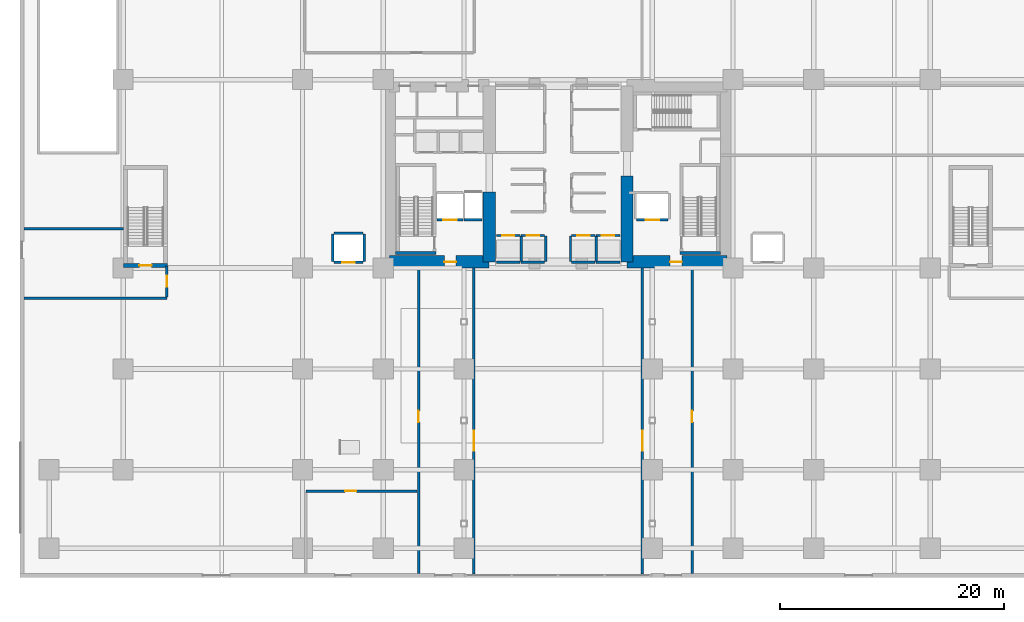
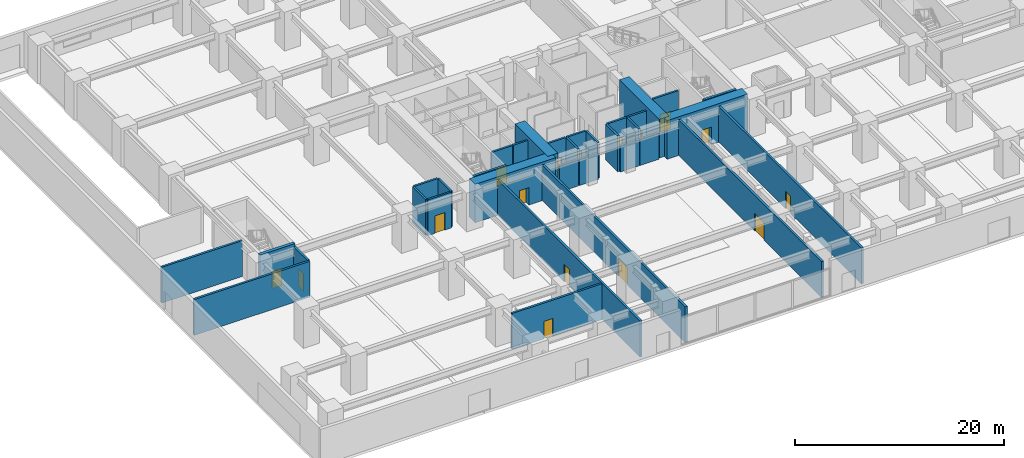
# One storey, part 13 of 26: 34 walls, 16 doors, 16 openings.
"""IFC4 building model written with IfcOpenShell, lengths in metres."""

from ifc_helpers import new_model, si_unit, direction, frame, frame_2d, origin, place, context, subcontext, project, spatial, rectangle, extrude, material, layer, layer_set, type_object, element, fill, save


model = new_model("IFC4")

# Units and contexts
model_context = context("Model", 3, precision=1e-05, world=origin(), true_north=direction((0.0, 1.0)))
body_context = subcontext(model_context, "Body", "Model", "MODEL_VIEW")
ifc_project = project(units=[si_unit("LENGTHUNIT", "METRE"), si_unit("AREAUNIT", "SQUARE_METRE"), si_unit("VOLUMEUNIT", "CUBIC_METRE"), si_unit("PLANEANGLEUNIT", "RADIAN"), si_unit("MASSUNIT", "GRAM", prefix="KILO")], contexts=[model_context])

# Site, building, storey
site_placement = place(None, origin())
site = spatial("IfcSite", under=ifc_project, at=site_placement, CompositionType="ELEMENT")
building_placement = place(site_placement, origin())
building = spatial("IfcBuilding", under=site, at=building_placement, Name="Kiyonajd Concourse Tower", CompositionType="ELEMENT")
storey_placement = place(building_placement, origin())
storey = spatial("IfcBuildingStorey", under=building, at=storey_placement, Name="L01", CompositionType="ELEMENT", Elevation=0.0)

# Wall
ifc_material_1 = material(Name="Concrete C80/95", Category="concrete")
ifc_layer_1 = layer(ifc_material_1, 1.10009765625)
ifc_layer_set_1 = layer_set([ifc_layer_1], Name="Concrete C80/95")
wall_type_1 = type_object("IfcWallType", Name="WL-CORE-1100", PredefinedType="SHEAR", material=ifc_layer_set_1)
wall_1_placement = place(storey_placement, frame((41.85009765625, 28.14990234375, 0.0), z_axis=(0.0, 0.0, 1.0), x_axis=(0.0, 1.0, 0.0)))
element("IfcWall", 1, at=wall_1_placement, inside=storey, type_object=wall_type_1, Name="L01 West Core Inner South Shear Wall", PredefinedType="SHEAR", context=body_context, shape_type="SweptSolid", body=[
    extrude(rectangle(XDim=6.25, YDim=1.10009765625, at=frame_2d((3.125, 0.0))), origin(), (0.0, 0.0, 1.0), 4.5),
])

# Wall, opening, door
wall_2_placement = place(storey_placement, frame((32.949951171875, 28.14990234375, 0.0), z_axis=(0.0, 0.0, 1.0), x_axis=(1.0, 0.0, 0.0)))
wall_2 = element("IfcWall", 2, at=wall_2_placement, inside=storey, type_object=wall_type_1, Name="L01 West Core South Shear Wall", PredefinedType="SHEAR", context=body_context, shape_type="SweptSolid", body=[
    extrude(rectangle(XDim=8.900146484375, YDim=1.10009765625, at=frame_2d((4.4501953125, 0.0))), origin(), (0.0, 0.0, 1.0), 4.5),
])
opening_1_placement = place(wall_2_placement, frame((4.89990234375, 0.0, 0.0)))
opening_1 = element("IfcOpeningElement", 3, at=opening_1_placement, cuts=wall_2, Name="Opening DF5", PredefinedType="OPENING", context=body_context, shape_type="SweptSolid", body=[
    extrude(rectangle(XDim=1.050048828125, YDim=2.0400390625, at=frame_2d((0.52490234375, 1.02001953125))), frame((0.0, 0.56005859375, 0.0), z_axis=(0.0, -1.0, 0.0), x_axis=(1.0, 0.0, 0.0)), (0.0, 0.0, 1.0), 1.1201171875),
])
ifc_material_2 = material(Name="Brushed Stainless Steel Cab Assembly", Category="steel")
door_type_1 = type_object("IfcDoorType", Name="DR-FD45-1050", OperationType="NOTDEFINED", PredefinedType="DOOR", material=ifc_material_2)
door_1_placement = place(opening_1_placement, origin())
door_1 = element("IfcDoor", 4, at=door_1_placement, inside=storey, type_object=door_type_1, Name="L01 Firefighting Lift Lobby W Smoke Door", OperationType="SINGLE_SWING_LEFT", OverallHeight=2.0400390625, OverallWidth=1.050048828125, PredefinedType="DOOR", context=body_context, shape_type="SweptSolid", body=[
    extrude(rectangle(XDim=1.050048828125, YDim=2.0400390625, at=frame_2d((0.52490234375, 1.02001953125))), frame((0.0, 0.02490234375, 0.0), z_axis=(0.0, -1.0, 0.0), x_axis=(1.0, 0.0, 0.0)), (0.0, 0.0, 1.0), 0.050048828125),
])
fill(opening_1, door_1)

# Wall
wall_3_placement = place(storey_placement, frame((54.14990234375, 28.14990234375, 0.0), z_axis=(0.0, 0.0, 1.0), x_axis=(0.0, 1.0, 0.0)))
element("IfcWall", 5, at=wall_3_placement, inside=storey, type_object=wall_type_1, Name="L01 East Core Inner South Shear Wall", PredefinedType="SHEAR", context=body_context, shape_type="SweptSolid", body=[
    extrude(rectangle(XDim=7.650146484375, YDim=1.10009765625, at=frame_2d((3.8251953125, 0.0))), origin(), (0.0, 0.0, 1.0), 4.5),
])

# Wall, opening, door
wall_4_placement = place(storey_placement, frame((54.14990234375, 28.14990234375, 0.0), z_axis=(0.0, 0.0, 1.0), x_axis=(1.0, 0.0, 0.0)))
wall_4 = element("IfcWall", 6, at=wall_4_placement, inside=storey, type_object=wall_type_1, Name="L01 East Core South Shear Wall", PredefinedType="SHEAR", context=body_context, shape_type="SweptSolid", body=[
    extrude(rectangle(XDim=8.900146484375, YDim=1.10009765625, at=frame_2d((4.4501953125, 0.0))), origin(), (0.0, 0.0, 1.0), 4.5),
])
opening_2_placement = place(wall_4_placement, frame((3.85009765625, 0.0, 0.0)))
opening_2 = element("IfcOpeningElement", 7, at=opening_2_placement, cuts=wall_4, Name="Opening DF5", PredefinedType="OPENING", context=body_context, shape_type="SweptSolid", body=[
    extrude(rectangle(XDim=1.050048828125, YDim=2.0400390625, at=frame_2d((0.52490234375, 1.02001953125))), frame((0.0, 0.56005859375, 0.0), z_axis=(0.0, -1.0, 0.0), x_axis=(1.0, 0.0, 0.0)), (0.0, 0.0, 1.0), 1.1201171875),
])
door_2_placement = place(opening_2_placement, origin())
door_2 = element("IfcDoor", 8, at=door_2_placement, inside=storey, type_object=door_type_1, Name="L01 Firefighting Lift Lobby E Smoke Door", OperationType="SINGLE_SWING_RIGHT", OverallHeight=2.0400390625, OverallWidth=1.050048828125, PredefinedType="DOOR", context=body_context, shape_type="SweptSolid", body=[
    extrude(rectangle(XDim=1.050048828125, YDim=2.0400390625, at=frame_2d((0.52490234375, 1.02001953125))), frame((0.0, 0.02490234375, 0.0), z_axis=(0.0, -1.0, 0.0), x_axis=(1.0, 0.0, 0.0)), (0.0, 0.0, 1.0), 0.050048828125),
])
fill(opening_2, door_2)

ifc_material_3 = material(Name="Gypsum Board on Cold-Formed Steel Stud", Category="steel")
ifc_layer_2 = layer(ifc_material_3, 0.22998046875)
ifc_layer_set_2 = layer_set([ifc_layer_2], Name="Gypsum Board on Cold-Formed Steel Stud")
wall_type_2 = type_object("IfcWallType", Name="WL-FIRE-230", PredefinedType="PARTITIONING", material=ifc_layer_set_2)
wall_5_placement = place(storey_placement, frame((35.550048828125, 0.35498046875, 0.0), z_axis=(0.0, 0.0, 1.0), x_axis=(0.0, 1.0, 0.0)))
wall_5 = element("IfcWall", 9, at=wall_5_placement, inside=storey, type_object=wall_type_2, Name="L01 Interior Partition Wall", PredefinedType="PARTITIONING", context=body_context, shape_type="SweptSolid", body=[
    extrude(rectangle(XDim=27.2451171875, YDim=0.22998046875, at=frame_2d((13.62255859375, 0.0))), origin(), (0.0, 0.0, 1.0), 4.179931640625),
])
opening_3_placement = place(wall_5_placement, frame((13.5, 0.0, 0.0)))
opening_3 = element("IfcOpeningElement", 10, at=opening_3_placement, cuts=wall_5, Name="Opening DF1", PredefinedType="OPENING", context=body_context, shape_type="SweptSolid", body=[
    extrude(rectangle(XDim=1.0, YDim=2.0400390625, at=frame_2d((0.5, 1.02001953125))), frame((0.0, 0.125, 0.0), z_axis=(0.0, -1.0, 0.0), x_axis=(1.0, 0.0, 0.0)), (0.0, 0.0, 1.0), 0.25),
])
door_type_2 = type_object("IfcDoorType", Name="DR-FD90-1000", OperationType="NOTDEFINED", PredefinedType="DOOR", material=ifc_material_2)
door_3_placement = place(opening_3_placement, origin())
door_3 = element("IfcDoor", 11, at=door_3_placement, inside=storey, type_object=door_type_2, Name="L01 Security Lobby Exit Passageway ST1 Door", OperationType="SINGLE_SWING_RIGHT", OverallHeight=2.0400390625, OverallWidth=1.0, PredefinedType="DOOR", context=body_context, shape_type="SweptSolid", body=[
    extrude(rectangle(XDim=1.0, YDim=2.0400390625, at=frame_2d((0.5, 1.02001953125))), frame((0.0, 0.02490234375, 0.0), z_axis=(0.0, -1.0, 0.0), x_axis=(1.0, 0.0, 0.0)), (0.0, 0.0, 1.0), 0.050048828125),
])
fill(opening_3, door_3)

wall_6_placement = place(storey_placement, frame((40.47998046875, 0.284912109375, 0.0), z_axis=(0.0, 0.0, 1.0), x_axis=(0.0, 1.0, 0.0)))
wall_6 = element("IfcWall", 12, at=wall_6_placement, inside=storey, type_object=wall_type_2, Name="L01 Interior Partition Wall", PredefinedType="PARTITIONING", context=body_context, shape_type="SweptSolid", body=[
    extrude(rectangle(XDim=27.315185546875, YDim=0.22998046875, at=frame_2d((13.65771484375, 0.0))), origin(), (0.0, 0.0, 1.0), 4.179931640625),
])
opening_4_placement = place(wall_6_placement, frame((11.0, 0.0, 0.0)))
opening_4 = element("IfcOpeningElement", 13, at=opening_4_placement, cuts=wall_6, Name="Opening DI3", PredefinedType="OPENING", context=body_context, shape_type="SweptSolid", body=[
    extrude(rectangle(XDim=1.800048828125, YDim=2.06005859375, at=frame_2d((0.89990234375, 1.030029296875))), frame((0.0, 0.125, 0.0), z_axis=(0.0, -1.0, 0.0), x_axis=(1.0, 0.0, 0.0)), (0.0, 0.0, 1.0), 0.25),
])
door_type_3 = type_object("IfcDoorType", Name="DR-PAIR-1800", OperationType="DOUBLE_DOOR_SINGLE_SWING", PredefinedType="DOOR", material=ifc_material_2)
door_4_placement = place(opening_4_placement, origin())
door_4 = element("IfcDoor", 14, at=door_4_placement, inside=storey, type_object=door_type_3, Name="L01 Main Concourse Exit Passageway ST1 Door", OperationType="DOUBLE_DOOR_SINGLE_SWING", OverallHeight=2.06005859375, OverallWidth=1.800048828125, PredefinedType="DOOR", context=body_context, shape_type="SweptSolid", body=[
    extrude(rectangle(XDim=1.800048828125, YDim=2.06005859375, at=frame_2d((0.89990234375, 1.030029296875))), frame((0.0, 0.02490234375, 0.0), z_axis=(0.0, -1.0, 0.0), x_axis=(1.0, 0.0, 0.0)), (0.0, 0.0, 1.0), 0.050048828125),
])
fill(opening_4, door_4)

wall_7_placement = place(storey_placement, frame((55.52001953125, 0.284912109375, 0.0), z_axis=(0.0, 0.0, 1.0), x_axis=(0.0, 1.0, 0.0)))
wall_7 = element("IfcWall", 15, at=wall_7_placement, inside=storey, type_object=wall_type_2, Name="L01 Interior Partition Wall", PredefinedType="PARTITIONING", context=body_context, shape_type="SweptSolid", body=[
    extrude(rectangle(XDim=27.315185546875, YDim=0.22998046875, at=frame_2d((13.65771484375, 0.0))), origin(), (0.0, 0.0, 1.0), 4.179931640625),
])
opening_5_placement = place(wall_7_placement, frame((11.0, 0.0, 0.0)))
opening_5 = element("IfcOpeningElement", 16, at=opening_5_placement, cuts=wall_7, Name="Opening DI3", PredefinedType="OPENING", context=body_context, shape_type="SweptSolid", body=[
    extrude(rectangle(XDim=1.800048828125, YDim=2.06005859375, at=frame_2d((0.89990234375, 1.030029296875))), frame((0.0, 0.125, 0.0), z_axis=(0.0, -1.0, 0.0), x_axis=(1.0, 0.0, 0.0)), (0.0, 0.0, 1.0), 0.25),
])
door_5_placement = place(opening_5_placement, origin())
door_5 = element("IfcDoor", 17, at=door_5_placement, inside=storey, type_object=door_type_3, Name="L01 Main Concourse Exit Passageway ST2 Door", OperationType="DOUBLE_DOOR_SINGLE_SWING", OverallHeight=2.06005859375, OverallWidth=1.800048828125, PredefinedType="DOOR", context=body_context, shape_type="SweptSolid", body=[
    extrude(rectangle(XDim=1.800048828125, YDim=2.06005859375, at=frame_2d((0.89990234375, 1.030029296875))), frame((0.0, 0.02490234375, 0.0), z_axis=(0.0, -1.0, 0.0), x_axis=(1.0, 0.0, 0.0)), (0.0, 0.0, 1.0), 0.050048828125),
])
fill(opening_5, door_5)

wall_8_placement = place(storey_placement, frame((59.949951171875, 0.35498046875, 0.0), z_axis=(0.0, 0.0, 1.0), x_axis=(0.0, 1.0, 0.0)))
wall_8 = element("IfcWall", 18, at=wall_8_placement, inside=storey, type_object=wall_type_2, Name="L01 Interior Partition Wall", PredefinedType="PARTITIONING", context=body_context, shape_type="SweptSolid", body=[
    extrude(rectangle(XDim=27.2451171875, YDim=0.22998046875, at=frame_2d((13.62255859375, 0.0))), origin(), (0.0, 0.0, 1.0), 4.179931640625),
])
opening_6_placement = place(wall_8_placement, frame((13.5, 0.0, 0.0)))
opening_6 = element("IfcOpeningElement", 19, at=opening_6_placement, cuts=wall_8, Name="Opening DF1", PredefinedType="OPENING", context=body_context, shape_type="SweptSolid", body=[
    extrude(rectangle(XDim=1.0, YDim=2.0400390625, at=frame_2d((0.5, 1.02001953125))), frame((0.0, 0.125, 0.0), z_axis=(0.0, -1.0, 0.0), x_axis=(1.0, 0.0, 0.0)), (0.0, 0.0, 1.0), 0.25),
])
door_6_placement = place(opening_6_placement, origin())
door_6 = element("IfcDoor", 20, at=door_6_placement, inside=storey, type_object=door_type_2, Name="L01 Retail Gallery Exit Passageway ST2 Door", OperationType="SINGLE_SWING_LEFT", OverallHeight=2.0400390625, OverallWidth=1.0, PredefinedType="DOOR", context=body_context, shape_type="SweptSolid", body=[
    extrude(rectangle(XDim=1.0, YDim=2.0400390625, at=frame_2d((0.5, 1.02001953125))), frame((0.0, 0.02490234375, 0.0), z_axis=(0.0, -1.0, 0.0), x_axis=(1.0, 0.0, 0.0)), (0.0, 0.0, 1.0), 0.050048828125),
])
fill(opening_6, door_6)

# Wall
wall_9_placement = place(storey_placement, frame((0.35498046875, 24.89990234375, 0.0), z_axis=(0.0, 0.0, 1.0), x_axis=(1.0, 0.0, 0.0)))
element("IfcWall", 21, at=wall_9_placement, inside=storey, type_object=wall_type_2, Name="L01 Interior Partition Wall", PredefinedType="PARTITIONING", context=body_context, shape_type="SweptSolid", body=[
    extrude(rectangle(XDim=12.7451171875, YDim=0.22998046875, at=frame_2d((6.37255859375, 0.0))), origin(), (0.0, 0.0, 1.0), 4.179931640625),
])

# Wall, opening, door
wall_10_placement = place(storey_placement, frame((13.10009765625, 25.01708984375, 0.0), z_axis=(0.0, 0.0, 1.0), x_axis=(0.0, 1.0, 0.0)))
wall_10 = element("IfcWall", 22, at=wall_10_placement, inside=storey, type_object=wall_type_2, Name="L01 Interior Partition Wall", PredefinedType="PARTITIONING", context=body_context, shape_type="SweptSolid", body=[
    extrude(rectangle(XDim=2.781005859375, YDim=0.22998046875, at=frame_2d((1.390625, 0.0))), origin(), (0.0, 0.0, 1.0), 4.179931640625),
])
opening_7_placement = place(wall_10_placement, frame((0.89990234375, 0.0, 0.0)))
opening_7 = element("IfcOpeningElement", 23, at=opening_7_placement, cuts=wall_10, Name="Opening DF1", PredefinedType="OPENING", context=body_context, shape_type="SweptSolid", body=[
    extrude(rectangle(XDim=1.0, YDim=2.0400390625, at=frame_2d((0.5, 1.02001953125))), frame((0.0, 0.125, 0.0), z_axis=(0.0, -1.0, 0.0), x_axis=(1.0, 0.0, 0.0)), (0.0, 0.0, 1.0), 0.25),
])
door_7_placement = place(opening_7_placement, origin())
door_7 = element("IfcDoor", 24, at=door_7_placement, inside=storey, type_object=door_type_2, Name="L01 Security Lobby Exit Passageway ST4 Door", OperationType="SINGLE_SWING_LEFT", OverallHeight=2.0400390625, OverallWidth=1.0, PredefinedType="DOOR", context=body_context, shape_type="SweptSolid", body=[
    extrude(rectangle(XDim=1.0, YDim=2.0400390625, at=frame_2d((0.5, 1.02001953125))), frame((0.0, 0.02490234375, 0.0), z_axis=(0.0, -1.0, 0.0), x_axis=(1.0, 0.0, 0.0)), (0.0, 0.0, 1.0), 0.050048828125),
])
fill(opening_7, door_7)

# Wall
wall_11_placement = place(storey_placement, frame((0.35498046875, 31.10009765625, 0.0), z_axis=(0.0, 0.0, 1.0), x_axis=(1.0, 0.0, 0.0)))
element("IfcWall", 25, at=wall_11_placement, inside=storey, type_object=wall_type_2, Name="L01 Interior Partition Wall", PredefinedType="PARTITIONING", context=body_context, shape_type="SweptSolid", body=[
    extrude(rectangle(XDim=8.89501953125, YDim=0.22998046875, at=frame_2d((4.447509765625, 0.0))), origin(), (0.0, 0.0, 1.0), 4.179931640625),
])

# Wall, opening, door
wall_12_placement = place(storey_placement, frame((25.5, 7.699951171875, 0.0), z_axis=(0.0, 0.0, 1.0), x_axis=(1.0, 0.0, 0.0)))
wall_12 = element("IfcWall", 26, at=wall_12_placement, inside=storey, type_object=wall_type_2, Name="L01 Interior Partition Wall", PredefinedType="PARTITIONING", context=body_context, shape_type="SweptSolid", body=[
    extrude(rectangle(XDim=9.89990234375, YDim=0.22998046875, at=frame_2d((4.949951171875, 0.0))), origin(), (0.0, 0.0, 1.0), 4.179931640625),
])
opening_8_placement = place(wall_12_placement, frame((3.5, 0.0, 0.0)))
opening_8 = element("IfcOpeningElement", 27, at=opening_8_placement, cuts=wall_12, Name="Opening DF1", PredefinedType="OPENING", context=body_context, shape_type="SweptSolid", body=[
    extrude(rectangle(XDim=1.0, YDim=2.0400390625, at=frame_2d((0.5, 1.02001953125))), frame((0.0, 0.125, 0.0), z_axis=(0.0, -1.0, 0.0), x_axis=(1.0, 0.0, 0.0)), (0.0, 0.0, 1.0), 0.25),
])
door_8_placement = place(opening_8_placement, origin())
door_8 = element("IfcDoor", 28, at=door_8_placement, inside=storey, type_object=door_type_2, Name="L01 Fire Command Center Interior Door", OperationType="SINGLE_SWING_RIGHT", OverallHeight=2.0400390625, OverallWidth=1.0, PredefinedType="DOOR", context=body_context, shape_type="SweptSolid", body=[
    extrude(rectangle(XDim=1.0, YDim=2.0400390625, at=frame_2d((0.5, 1.02001953125))), frame((0.0, 0.02490234375, 0.0), z_axis=(0.0, -1.0, 0.0), x_axis=(1.0, 0.0, 0.0)), (0.0, 0.0, 1.0), 0.050048828125),
])
fill(opening_8, door_8)

ifc_layer_3 = layer(ifc_material_3, 0.2099609375)
ifc_layer_set_3 = layer_set([ifc_layer_3], Name="Gypsum Board on Cold-Formed Steel Stud")
wall_type_3 = type_object("IfcWallType", Name="WL-SHAFT-210", PredefinedType="PARTITIONING", material=ifc_layer_set_3)
wall_13_placement = place(storey_placement, frame((37.199951171875, 31.89990234375, 0.0), z_axis=(0.0, 0.0, 1.0), x_axis=(1.0, 0.0, 0.0)))
wall_13 = element("IfcWall", 29, at=wall_13_placement, inside=storey, type_object=wall_type_3, Name="L01 Shaft Enclosure Wall", PredefinedType="PARTITIONING", context=body_context, shape_type="SweptSolid", body=[
    extrude(rectangle(XDim=2.300048828125, YDim=0.2099609375, at=frame_2d((1.14990234375, 0.0))), origin(), (0.0, 0.0, 1.0), 4.179931640625),
])
opening_9_placement = place(wall_13_placement, frame((0.550048828125, 0.0, 0.0)))
opening_9 = element("IfcOpeningElement", 30, at=opening_9_placement, cuts=wall_13, Name="Opening LD2", PredefinedType="OPENING", context=body_context, shape_type="SweptSolid", body=[
    extrude(rectangle(XDim=1.199951171875, YDim=2.0400390625, at=frame_2d((0.60009765625, 1.02001953125))), frame((0.0, 0.114990234375, 0.0), z_axis=(0.0, -1.0, 0.0), x_axis=(1.0, 0.0, 0.0)), (0.0, 0.0, 1.0), 0.22998046875),
])
door_type_4 = type_object("IfcDoorType", Name="DR-LD-1200", OperationType="DOUBLE_DOOR_SLIDING", PredefinedType="DOOR", material=ifc_material_2)
door_9_placement = place(opening_9_placement, origin())
door_9 = element("IfcDoor", 31, at=door_9_placement, inside=storey, type_object=door_type_4, Name="L01 Lift FFL1 Sliding Landing Door", OperationType="DOUBLE_DOOR_SLIDING", OverallHeight=2.0400390625, OverallWidth=1.199951171875, PredefinedType="DOOR", context=body_context, shape_type="SweptSolid", body=[
    extrude(rectangle(XDim=1.199951171875, YDim=2.0400390625, at=frame_2d((0.60009765625, 1.02001953125))), frame((0.0, 0.02490234375, 0.0), z_axis=(0.0, -1.0, 0.0), x_axis=(1.0, 0.0, 0.0)), (0.0, 0.0, 1.0), 0.050048828125),
])
fill(opening_9, door_9)

wall_14_placement = place(storey_placement, frame((55.0, 31.89990234375, 0.0), z_axis=(0.0, 0.0, 1.0), x_axis=(1.0, 0.0, 0.0)))
wall_14 = element("IfcWall", 32, at=wall_14_placement, inside=storey, type_object=wall_type_3, Name="L01 Shaft Enclosure Wall", PredefinedType="PARTITIONING", context=body_context, shape_type="SweptSolid", body=[
    extrude(rectangle(XDim=2.800048828125, YDim=0.2099609375, at=frame_2d((1.39990234375, 0.0))), origin(), (0.0, 0.0, 1.0), 4.179931640625),
])
opening_10_placement = place(wall_14_placement, frame((0.800048828125, 0.0, 0.0)))
opening_10 = element("IfcOpeningElement", 33, at=opening_10_placement, cuts=wall_14, Name="Opening LD2", PredefinedType="OPENING", context=body_context, shape_type="SweptSolid", body=[
    extrude(rectangle(XDim=1.199951171875, YDim=2.0400390625, at=frame_2d((0.60009765625, 1.02001953125))), frame((0.0, 0.114990234375, 0.0), z_axis=(0.0, -1.0, 0.0), x_axis=(1.0, 0.0, 0.0)), (0.0, 0.0, 1.0), 0.22998046875),
])
door_10_placement = place(opening_10_placement, origin())
door_10 = element("IfcDoor", 34, at=door_10_placement, inside=storey, type_object=door_type_4, Name="L01 Lift FFL2 Sliding Landing Door", OperationType="DOUBLE_DOOR_SLIDING", OverallHeight=2.0400390625, OverallWidth=1.199951171875, PredefinedType="DOOR", context=body_context, shape_type="SweptSolid", body=[
    extrude(rectangle(XDim=1.199951171875, YDim=2.0400390625, at=frame_2d((0.60009765625, 1.02001953125))), frame((0.0, 0.02490234375, 0.0), z_axis=(0.0, -1.0, 0.0), x_axis=(1.0, 0.0, 0.0)), (0.0, 0.0, 1.0), 0.050048828125),
])
fill(opening_10, door_10)

# Wall
wall_15_placement = place(storey_placement, frame((39.60009765625, 31.89990234375, 0.0), z_axis=(0.0, 0.0, 1.0), x_axis=(1.0, 0.0, 0.0)))
element("IfcWall", 35, at=wall_15_placement, inside=storey, type_object=wall_type_3, Name="L01 Shaft Enclosure Wall", PredefinedType="PARTITIONING", context=body_context, shape_type="SweptSolid", body=[
    extrude(rectangle(XDim=1.599853515625, YDim=0.2099609375, at=frame_2d((0.7998046875, 0.0))), origin(), (0.0, 0.0, 1.0), 4.179931640625),
])

# Wall, opening, door
wall_16_placement = place(storey_placement, frame((42.5, 30.5, 0.0), z_axis=(0.0, 0.0, 1.0), x_axis=(1.0, 0.0, 0.0)))
wall_16 = element("IfcWall", 36, at=wall_16_placement, inside=storey, type_object=wall_type_3, Name="L01 Shaft Enclosure Wall", PredefinedType="PARTITIONING", context=body_context, shape_type="SweptSolid", body=[
    extrude(rectangle(XDim=2.10009765625, YDim=0.2099609375, at=frame_2d((1.050048828125, 0.0))), origin(), (0.0, 0.0, 1.0), 4.179931640625),
])
opening_11_placement = place(wall_16_placement, frame((0.5, 0.0, 0.0)))
opening_11 = element("IfcOpeningElement", 37, at=opening_11_placement, cuts=wall_16, Name="Opening LD1", PredefinedType="OPENING", context=body_context, shape_type="SweptSolid", body=[
    extrude(rectangle(XDim=1.10009765625, YDim=2.0400390625, at=frame_2d((0.550048828125, 1.02001953125))), frame((0.0, 0.114990234375, 0.0), z_axis=(0.0, -1.0, 0.0), x_axis=(1.0, 0.0, 0.0)), (0.0, 0.0, 1.0), 0.22998046875),
])
door_type_5 = type_object("IfcDoorType", Name="DR-LD-1100", OperationType="DOUBLE_DOOR_SLIDING", PredefinedType="DOOR", material=ifc_material_2)
door_11_placement = place(opening_11_placement, origin())
door_11 = element("IfcDoor", 38, at=door_11_placement, inside=storey, type_object=door_type_5, Name="L01 Lift PL-L1 Sliding Landing Door", OperationType="DOUBLE_DOOR_SLIDING", OverallHeight=2.0400390625, OverallWidth=1.10009765625, PredefinedType="DOOR", context=body_context, shape_type="SweptSolid", body=[
    extrude(rectangle(XDim=1.10009765625, YDim=2.0400390625, at=frame_2d((0.550048828125, 1.02001953125))), frame((0.0, 0.02490234375, 0.0), z_axis=(0.0, -1.0, 0.0), x_axis=(1.0, 0.0, 0.0)), (0.0, 0.0, 1.0), 0.050048828125),
])
fill(opening_11, door_11)

# Walls
wall_17_placement = place(storey_placement, frame((42.5, 28.10009765625, 0.0), z_axis=(0.0, 0.0, 1.0), x_axis=(1.0, 0.0, 0.0)))
element("IfcWall", 39, at=wall_17_placement, inside=storey, type_object=wall_type_3, Name="L01 Shaft Enclosure Wall", PredefinedType="PARTITIONING", context=body_context, shape_type="SweptSolid", body=[
    extrude(rectangle(XDim=2.10009765625, YDim=0.2099609375, at=frame_2d((1.050048828125, 0.0))), origin(), (0.0, 0.0, 1.0), 3.06494140625),
])
wall_18_placement = place(storey_placement, frame((44.699951171875, 28.159912109375, 0.0), z_axis=(0.0, 0.0, 1.0), x_axis=(0.0, 1.0, 0.0)))
element("IfcWall", 40, at=wall_18_placement, inside=storey, type_object=wall_type_3, Name="L01 Shaft Enclosure Wall", PredefinedType="PARTITIONING", context=body_context, shape_type="SweptSolid", body=[
    extrude(rectangle(XDim=2.280029296875, YDim=0.2099609375, at=frame_2d((1.14013671875, 0.0))), origin(), (0.0, 0.0, 1.0), 4.179931640625),
])

# Wall, opening, door
wall_19_placement = place(storey_placement, frame((44.699951171875, 30.5, 0.0), z_axis=(0.0, 0.0, 1.0), x_axis=(1.0, 0.0, 0.0)))
wall_19 = element("IfcWall", 41, at=wall_19_placement, inside=storey, type_object=wall_type_3, Name="L01 Shaft Enclosure Wall", PredefinedType="PARTITIONING", context=body_context, shape_type="SweptSolid", body=[
    extrude(rectangle(XDim=2.10009765625, YDim=0.2099609375, at=frame_2d((1.050048828125, 0.0))), origin(), (0.0, 0.0, 1.0), 4.179931640625),
])
opening_12_placement = place(wall_19_placement, frame((0.5, 0.0, 0.0)))
opening_12 = element("IfcOpeningElement", 42, at=opening_12_placement, cuts=wall_19, Name="Opening LD1", PredefinedType="OPENING", context=body_context, shape_type="SweptSolid", body=[
    extrude(rectangle(XDim=1.10009765625, YDim=2.0400390625, at=frame_2d((0.550048828125, 1.02001953125))), frame((0.0, 0.114990234375, 0.0), z_axis=(0.0, -1.0, 0.0), x_axis=(1.0, 0.0, 0.0)), (0.0, 0.0, 1.0), 0.22998046875),
])
door_12_placement = place(opening_12_placement, origin())
door_12 = element("IfcDoor", 43, at=door_12_placement, inside=storey, type_object=door_type_5, Name="L01 Lift PL-L2 Sliding Landing Door", OperationType="DOUBLE_DOOR_SLIDING", OverallHeight=2.0400390625, OverallWidth=1.10009765625, PredefinedType="DOOR", context=body_context, shape_type="SweptSolid", body=[
    extrude(rectangle(XDim=1.10009765625, YDim=2.0400390625, at=frame_2d((0.550048828125, 1.02001953125))), frame((0.0, 0.02490234375, 0.0), z_axis=(0.0, -1.0, 0.0), x_axis=(1.0, 0.0, 0.0)), (0.0, 0.0, 1.0), 0.050048828125),
])
fill(opening_12, door_12)

# Walls
wall_20_placement = place(storey_placement, frame((44.699951171875, 28.10009765625, 0.0), z_axis=(0.0, 0.0, 1.0), x_axis=(1.0, 0.0, 0.0)))
element("IfcWall", 44, at=wall_20_placement, inside=storey, type_object=wall_type_3, Name="L01 Shaft Enclosure Wall", PredefinedType="PARTITIONING", context=body_context, shape_type="SweptSolid", body=[
    extrude(rectangle(XDim=2.10009765625, YDim=0.2099609375, at=frame_2d((1.050048828125, 0.0))), origin(), (0.0, 0.0, 1.0), 3.06494140625),
])
wall_21_placement = place(storey_placement, frame((46.89990234375, 28.159912109375, 0.0), z_axis=(0.0, 0.0, 1.0), x_axis=(0.0, 1.0, 0.0)))
element("IfcWall", 45, at=wall_21_placement, inside=storey, type_object=wall_type_3, Name="L01 Shaft Enclosure Wall", PredefinedType="PARTITIONING", context=body_context, shape_type="SweptSolid", body=[
    extrude(rectangle(XDim=2.280029296875, YDim=0.2099609375, at=frame_2d((1.14013671875, 0.0))), origin(), (0.0, 0.0, 1.0), 4.179931640625),
])

# Wall, opening, door
wall_22_placement = place(storey_placement, frame((49.199951171875, 30.5, 0.0), z_axis=(0.0, 0.0, 1.0), x_axis=(1.0, 0.0, 0.0)))
wall_22 = element("IfcWall", 46, at=wall_22_placement, inside=storey, type_object=wall_type_3, Name="L01 Shaft Enclosure Wall", PredefinedType="PARTITIONING", context=body_context, shape_type="SweptSolid", body=[
    extrude(rectangle(XDim=2.10009765625, YDim=0.2099609375, at=frame_2d((1.050048828125, 0.0))), origin(), (0.0, 0.0, 1.0), 4.179931640625),
])
opening_13_placement = place(wall_22_placement, frame((0.5, 0.0, 0.0)))
opening_13 = element("IfcOpeningElement", 47, at=opening_13_placement, cuts=wall_22, Name="Opening LD1", PredefinedType="OPENING", context=body_context, shape_type="SweptSolid", body=[
    extrude(rectangle(XDim=1.10009765625, YDim=2.0400390625, at=frame_2d((0.550048828125, 1.02001953125))), frame((0.0, 0.114990234375, 0.0), z_axis=(0.0, -1.0, 0.0), x_axis=(1.0, 0.0, 0.0)), (0.0, 0.0, 1.0), 0.22998046875),
])
door_13_placement = place(opening_13_placement, origin())
door_13 = element("IfcDoor", 48, at=door_13_placement, inside=storey, type_object=door_type_5, Name="L01 Lift PL-L3 Sliding Landing Door", OperationType="DOUBLE_DOOR_SLIDING", OverallHeight=2.0400390625, OverallWidth=1.10009765625, PredefinedType="DOOR", context=body_context, shape_type="SweptSolid", body=[
    extrude(rectangle(XDim=1.10009765625, YDim=2.0400390625, at=frame_2d((0.550048828125, 1.02001953125))), frame((0.0, 0.02490234375, 0.0), z_axis=(0.0, -1.0, 0.0), x_axis=(1.0, 0.0, 0.0)), (0.0, 0.0, 1.0), 0.050048828125),
])
fill(opening_13, door_13)

# Walls
wall_23_placement = place(storey_placement, frame((49.199951171875, 28.10009765625, 0.0), z_axis=(0.0, 0.0, 1.0), x_axis=(1.0, 0.0, 0.0)))
element("IfcWall", 49, at=wall_23_placement, inside=storey, type_object=wall_type_3, Name="L01 Shaft Enclosure Wall", PredefinedType="PARTITIONING", context=body_context, shape_type="SweptSolid", body=[
    extrude(rectangle(XDim=2.10009765625, YDim=0.2099609375, at=frame_2d((1.050048828125, 0.0))), origin(), (0.0, 0.0, 1.0), 3.06494140625),
])
for number, where, z_axis, x_axis, name in (
    (50, (49.10009765625, 28.159912109375, 0.0), (0.0, 0.0, 1.0), (0.0, 1.0, 0.0), "L01 Shaft Enclosure Wall"),
    (51, (51.39990234375, 28.159912109375, 0.0), (0.0, 0.0, 1.0), (0.0, 1.0, 0.0), "L01 Shaft Enclosure Wall"),
):
    element("IfcWall", number, at=place(storey_placement, frame(where, z_axis=z_axis, x_axis=x_axis)), inside=storey, type_object=wall_type_3, Name=name, PredefinedType="PARTITIONING", context=body_context, shape_type="SweptSolid", body=[
        extrude(rectangle(XDim=2.280029296875, YDim=0.2099609375, at=frame_2d((1.14013671875, 0.0))), origin(), (0.0, 0.0, 1.0), 4.179931640625),
    ])

# Wall, opening, door
wall_24_placement = place(storey_placement, frame((51.39990234375, 30.5, 0.0), z_axis=(0.0, 0.0, 1.0), x_axis=(1.0, 0.0, 0.0)))
wall_24 = element("IfcWall", 52, at=wall_24_placement, inside=storey, type_object=wall_type_3, Name="L01 Shaft Enclosure Wall", PredefinedType="PARTITIONING", context=body_context, shape_type="SweptSolid", body=[
    extrude(rectangle(XDim=2.10009765625, YDim=0.2099609375, at=frame_2d((1.050048828125, 0.0))), origin(), (0.0, 0.0, 1.0), 4.179931640625),
])
opening_14_placement = place(wall_24_placement, frame((0.5, 0.0, 0.0)))
opening_14 = element("IfcOpeningElement", 53, at=opening_14_placement, cuts=wall_24, Name="Opening LD1", PredefinedType="OPENING", context=body_context, shape_type="SweptSolid", body=[
    extrude(rectangle(XDim=1.10009765625, YDim=2.0400390625, at=frame_2d((0.550048828125, 1.02001953125))), frame((0.0, 0.114990234375, 0.0), z_axis=(0.0, -1.0, 0.0), x_axis=(1.0, 0.0, 0.0)), (0.0, 0.0, 1.0), 0.22998046875),
])
door_14_placement = place(opening_14_placement, origin())
door_14 = element("IfcDoor", 54, at=door_14_placement, inside=storey, type_object=door_type_5, Name="L01 Lift PL-L4 Sliding Landing Door", OperationType="DOUBLE_DOOR_SLIDING", OverallHeight=2.0400390625, OverallWidth=1.10009765625, PredefinedType="DOOR", context=body_context, shape_type="SweptSolid", body=[
    extrude(rectangle(XDim=1.10009765625, YDim=2.0400390625, at=frame_2d((0.550048828125, 1.02001953125))), frame((0.0, 0.02490234375, 0.0), z_axis=(0.0, -1.0, 0.0), x_axis=(1.0, 0.0, 0.0)), (0.0, 0.0, 1.0), 0.050048828125),
])
fill(opening_14, door_14)

# Wall
wall_25_placement = place(storey_placement, frame((51.39990234375, 28.10009765625, 0.0), z_axis=(0.0, 0.0, 1.0), x_axis=(1.0, 0.0, 0.0)))
element("IfcWall", 55, at=wall_25_placement, inside=storey, type_object=wall_type_3, Name="L01 Shaft Enclosure Wall", PredefinedType="PARTITIONING", context=body_context, shape_type="SweptSolid", body=[
    extrude(rectangle(XDim=2.10009765625, YDim=0.2099609375, at=frame_2d((1.050048828125, 0.0))), origin(), (0.0, 0.0, 1.0), 3.06494140625),
])

# Wall, opening, door
wall_26_placement = place(storey_placement, frame((28.0, 28.10009765625, 0.0), z_axis=(0.0, 0.0, 1.0), x_axis=(1.0, 0.0, 0.0)))
wall_26 = element("IfcWall", 56, at=wall_26_placement, inside=storey, type_object=wall_type_3, Name="L01 Shaft Enclosure Wall", PredefinedType="PARTITIONING", context=body_context, shape_type="SweptSolid", body=[
    extrude(rectangle(XDim=2.60009765625, YDim=0.2099609375, at=frame_2d((1.300048828125, 0.0))), origin(), (0.0, 0.0, 1.0), 4.179931640625),
])
opening_15_placement = place(wall_26_placement, frame((0.75, 0.0, 0.0)))
opening_15 = element("IfcOpeningElement", 57, at=opening_15_placement, cuts=wall_26, Name="Opening LD1", PredefinedType="OPENING", context=body_context, shape_type="SweptSolid", body=[
    extrude(rectangle(XDim=1.10009765625, YDim=2.0400390625, at=frame_2d((0.550048828125, 1.02001953125))), frame((0.0, 0.114990234375, 0.0), z_axis=(0.0, -1.0, 0.0), x_axis=(1.0, 0.0, 0.0)), (0.0, 0.0, 1.0), 0.22998046875),
])
door_15_placement = place(opening_15_placement, origin())
door_15 = element("IfcDoor", 58, at=door_15_placement, inside=storey, type_object=door_type_5, Name="L01 Lift PD1 Sliding Landing Door", OperationType="DOUBLE_DOOR_SLIDING", OverallHeight=2.0400390625, OverallWidth=1.10009765625, PredefinedType="DOOR", context=body_context, shape_type="SweptSolid", body=[
    extrude(rectangle(XDim=1.10009765625, YDim=2.0400390625, at=frame_2d((0.550048828125, 1.02001953125))), frame((0.0, 0.02490234375, 0.0), z_axis=(0.0, -1.0, 0.0), x_axis=(1.0, 0.0, 0.0)), (0.0, 0.0, 1.0), 0.050048828125),
])
fill(opening_15, door_15)

# Walls
wall_27_placement = place(storey_placement, frame((28.0, 30.699951171875, 0.0), z_axis=(0.0, 0.0, 1.0), x_axis=(1.0, 0.0, 0.0)))
element("IfcWall", 59, at=wall_27_placement, inside=storey, type_object=wall_type_3, Name="L01 Shaft Enclosure Wall", PredefinedType="PARTITIONING", context=body_context, shape_type="SweptSolid", body=[
    extrude(rectangle(XDim=2.60009765625, YDim=0.2099609375, at=frame_2d((1.300048828125, 0.0))), origin(), (0.0, 0.0, 1.0), 4.179931640625),
])
for number, where, z_axis, x_axis, name in (
    (60, (27.89990234375, 28.159912109375, 0.0), (0.0, 0.0, 1.0), (0.0, 1.0, 0.0), "L01 Shaft Enclosure Wall"),
    (61, (30.699951171875, 28.159912109375, 0.0), (0.0, 0.0, 1.0), (0.0, 1.0, 0.0), "L01 Shaft Enclosure Wall"),
):
    element("IfcWall", number, at=place(storey_placement, frame(where, z_axis=z_axis, x_axis=x_axis)), inside=storey, type_object=wall_type_3, Name=name, PredefinedType="PARTITIONING", context=body_context, shape_type="SweptSolid", body=[
        extrude(rectangle(XDim=2.47998046875, YDim=0.2099609375, at=frame_2d((1.239990234375, 0.0))), origin(), (0.0, 0.0, 1.0), 4.179931640625),
    ])
ifc_material_4 = material(Name="Concrete C50/60", Category="concrete")
ifc_layer_4 = layer(ifc_material_4, 0.260009765625)
ifc_layer_set_4 = layer_set([ifc_layer_4], Name="Concrete C50/60")
wall_type_4 = type_object("IfcWallType", Name="WL-STAIR-260", PredefinedType="SHEAR", material=ifc_layer_set_4)
for number, where, z_axis, x_axis, name in (
    (62, (33.5, 28.919921875, 0.0), (0.0, 0.0, 1.0), (1.0, 0.0, 0.0), "L01 Stair ST1 Structural South Wall"),
    (63, (58.889892578125, 28.919921875, 0.0), (0.0, 0.0, 1.0), (1.0, 0.0, 0.0), "L01 Stair ST2 Structural South Wall"),
):
    element("IfcWall", number, at=place(storey_placement, frame(where, z_axis=z_axis, x_axis=x_axis)), inside=storey, type_object=wall_type_4, Name=name, PredefinedType="SHEAR", context=body_context, shape_type="SweptSolid", body=[
        extrude(rectangle(XDim=3.610107421875, YDim=0.260009765625, at=frame_2d((1.80517578125, 0.0))), origin(), (0.0, 0.0, 1.0), 4.5),
    ])

# Wall, opening, door
ifc_layer_5 = layer(ifc_material_4, 0.35009765625)
ifc_layer_set_5 = layer_set([ifc_layer_5], Name="Concrete C50/60")
wall_type_5 = type_object("IfcWallType", Name="WL-STAIR-350", PredefinedType="SHEAR", material=ifc_layer_set_5)
wall_28_placement = place(storey_placement, frame((9.25, 27.824951171875, 0.0), z_axis=(0.0, 0.0, 1.0), x_axis=(1.0, 0.0, 0.0)))
wall_28 = element("IfcWall", 64, at=wall_28_placement, inside=storey, type_object=wall_type_5, Name="L01 Stair ST4 Structural South Wall", PredefinedType="SHEAR", context=body_context, shape_type="SweptSolid", body=[
    extrude(rectangle(XDim=3.89990234375, YDim=0.35009765625, at=frame_2d((1.949951171875, 0.0))), origin(), (0.0, 0.0, 1.0), 4.5),
])
opening_16_placement = place(wall_28_placement, frame((1.39990234375, 0.0, 0.0)))
opening_16 = element("IfcOpeningElement", 65, at=opening_16_placement, cuts=wall_28, Name="Opening DF2", PredefinedType="OPENING", context=body_context, shape_type="SweptSolid", body=[
    extrude(rectangle(XDim=1.10009765625, YDim=2.050048828125, at=frame_2d((0.550048828125, 1.02490234375))), frame((0.0, 0.18505859375, 0.0), z_axis=(0.0, -1.0, 0.0), x_axis=(1.0, 0.0, 0.0)), (0.0, 0.0, 1.0), 0.3701171875),
])
door_type_6 = type_object("IfcDoorType", Name="DR-FD90-1100", OperationType="NOTDEFINED", PredefinedType="DOOR", material=ifc_material_2)
door_16_placement = place(opening_16_placement, origin())
door_16 = element("IfcDoor", 66, at=door_16_placement, inside=storey, type_object=door_type_6, Name="L01 Stair ST4 Fire Door", OperationType="SINGLE_SWING_LEFT", OverallHeight=2.050048828125, OverallWidth=1.10009765625, PredefinedType="DOOR", context=body_context, shape_type="SweptSolid", body=[
    extrude(rectangle(XDim=1.10009765625, YDim=2.050048828125, at=frame_2d((0.550048828125, 1.02490234375))), frame((0.0, 0.02490234375, 0.0), z_axis=(0.0, -1.0, 0.0), x_axis=(1.0, 0.0, 0.0)), (0.0, 0.0, 1.0), 0.050048828125),
])
fill(opening_16, door_16)

save(model, "model.ifc")
